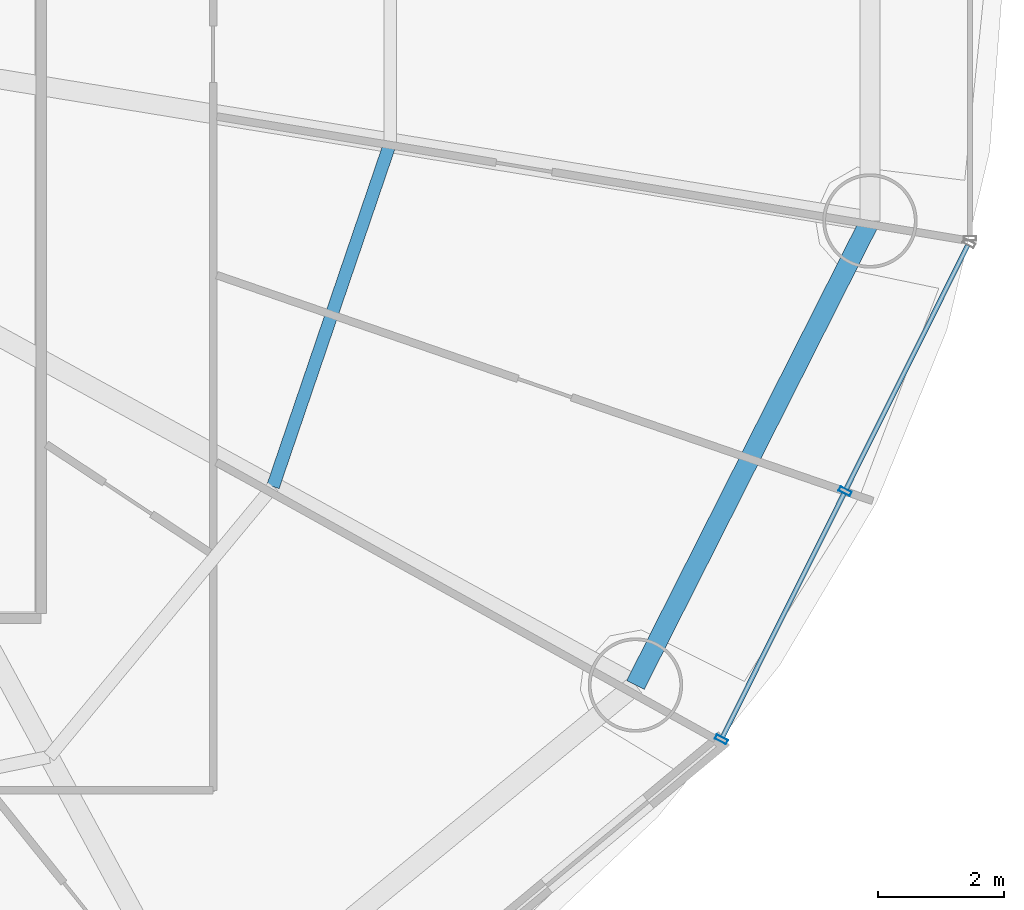
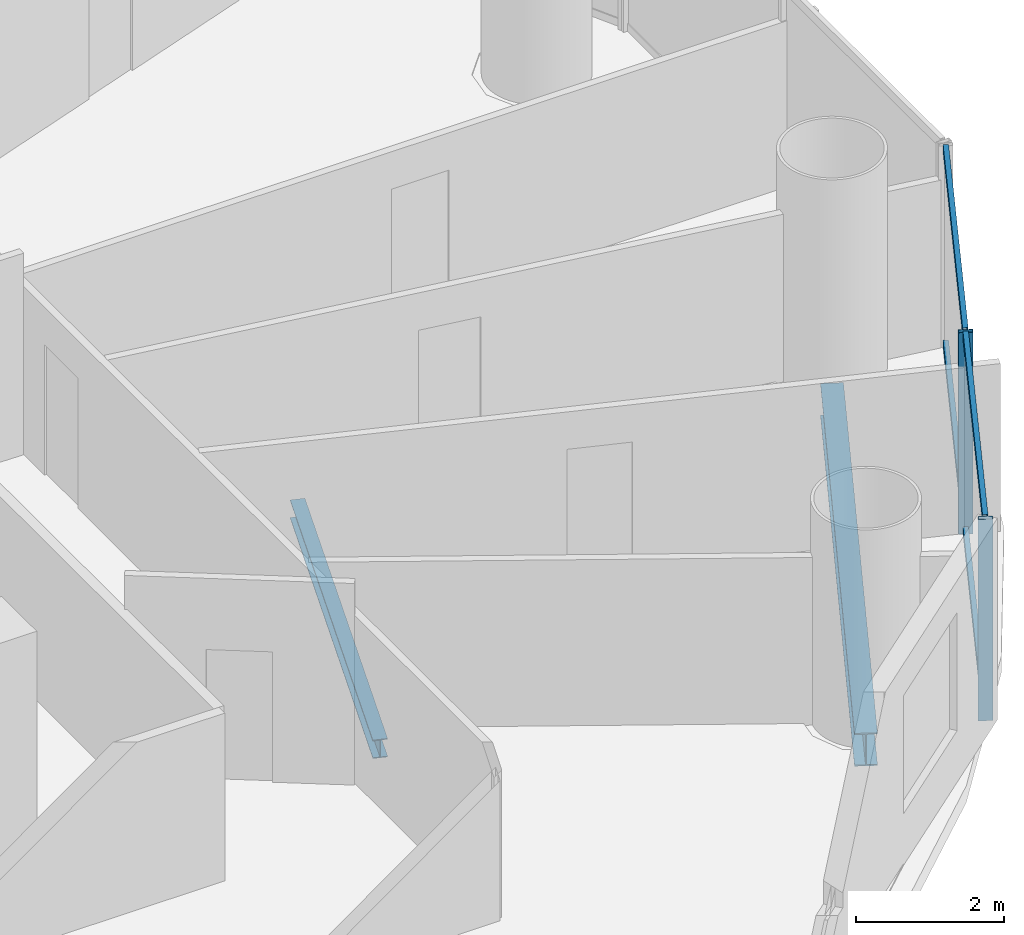
# One storey, part 13 of 29: 6 members, 2 beams, 1 element without a shape of its own.
"""IFC4 building model written with IfcOpenShell, lengths in metres."""

from ifc_helpers import new_model, si_unit, direction, frame, origin, origin_2d, place, context, subcontext, project, spatial, hollow_rectangle, i_section, extrude, source, transform, mapped, material, material_profile, profile_set, type_object, element, aggregate, save


model = new_model("IFC4")

# Units and contexts
model_context = context("Model", 3, precision=1e-05, world=origin(), true_north=direction((-0.2419218956, 0.970295726276)))
body_context = subcontext(model_context, "Body", "Model", "MODEL_VIEW")
ifc_project = project(units=[si_unit("LENGTHUNIT", "METRE"), si_unit("AREAUNIT", "SQUARE_METRE"), si_unit("VOLUMEUNIT", "CUBIC_METRE"), si_unit("PLANEANGLEUNIT", "RADIAN"), si_unit("MASSUNIT", "GRAM", prefix="KILO")], contexts=[model_context])

# Site, building, storey
site_placement = place(None, origin())
site = spatial("IfcSite", under=ifc_project, at=site_placement, CompositionType="ELEMENT")
building_placement = place(site_placement, origin())
building = spatial("IfcBuilding", under=site, at=building_placement, Name="Cobrevalo Terracotta Tower", CompositionType="ELEMENT")
storey_placement = place(building_placement, frame((0.0, 0.0, 115.800048828125)))
storey = spatial("IfcBuildingStorey", under=building, at=storey_placement, Name="L30", CompositionType="ELEMENT", Elevation=115.800048828125)

# Beams
ifc_material_1 = material(Name="Steel S355", Category="steel")
ifc_material_profile_1 = material_profile(ifc_material_1, i_section(OverallWidth=0.2041015625, OverallDepth=0.305908203125, WebThickness=0.008544921875, FlangeThickness=0.0146484375, at=origin_2d()), Name="W 310x67")
ifc_profile_set_1 = profile_set([ifc_material_profile_1], Name="Steel S355")
beam_type_1 = type_object("IfcBeamType", Name="Structural Joist W 310x67 (Steel S355)", PredefinedType="JOIST", material=ifc_profile_set_1)
beam_1_placement = place(storey_placement, frame((52.987548828125, 18.591796875, -0.427978515625), z_axis=(0.322846227919, 0.946451431991, 0.0), x_axis=(-0.946451431991, 0.322846227919, 0.0)))
element("IfcBeam", 1, at=beam_1_placement, inside=storey, type_object=beam_type_1, Name="L30 circumferential secondary floor joist 15", PredefinedType="JOIST", context=body_context, shape_type="SweptSolid", body=[
    extrude(i_section(OverallWidth=0.2041015625, OverallDepth=0.305908203125, WebThickness=0.008544921875, FlangeThickness=0.0146484375, at=origin_2d()), origin(), (0.0, 0.0, 1.0), 5.77001953125),
])
ifc_material_profile_2 = material_profile(ifc_material_1, i_section(OverallWidth=0.31201171875, OverallDepth=0.54296875, WebThickness=0.0126953125, FlangeThickness=0.020263671875, at=origin_2d()), Name="W 530x150")
ifc_profile_set_2 = profile_set([ifc_material_profile_2], Name="Steel S355")
beam_type_2 = type_object("IfcBeamType", Name="Structural Spandrel W 530x150 (Steel S355)", PredefinedType="SPANDREL", material=ifc_profile_set_2)
beam_2_placement = place(storey_placement, frame((58.7451171875, 15.4384765625, -0.546630859375), z_axis=(0.451051982172, 0.892497680321, 0.0), x_axis=(-0.892497680321, 0.451051982172, 0.0)))
element("IfcBeam", 2, at=beam_2_placement, inside=storey, type_object=beam_type_2, Name="L30 perimeter ring spandrel 15", PredefinedType="SPANDREL", context=body_context, shape_type="SweptSolid", body=[
    extrude(i_section(OverallWidth=0.31201171875, OverallDepth=0.54296875, WebThickness=0.0126953125, FlangeThickness=0.020263671875, at=origin_2d()), origin(), (0.0, 0.0, 1.0), 8.259765625),
])

# Curtain wall, members
ifc_material_2 = material(Name="Anodized aluminium", Category="aluminium")
curtain_wall_type = type_object("IfcCurtainWallType", Name="Lower-tower unitised acoustic low-E curtain wall CW-U1", PredefinedType="NOTDEFINED", material=ifc_material_2)
curtain_wall_placement = place(storey_placement, origin())
curtain_wall = element("IfcCurtainWall", 3, at=curtain_wall_placement, inside=storey, type_object=curtain_wall_type, Name="L30 curtain wall CW-L30-S15", PredefinedType="NOTDEFINED")
ifc_material_profile_3 = material_profile(ifc_material_2, hollow_rectangle(XDim=0.074951171875, YDim=0.199951171875, WallThickness=0.0048828125, at=origin_2d()), Name="CWM 75x200")
ifc_profile_set_3 = profile_set([ifc_material_profile_3], Name="Anodized aluminium")
member_type_1 = type_object("IfcMemberType", Name="Lower/mid tower unitised mullion 75x200", PredefinedType="MULLION", material=ifc_profile_set_3)
shared_shape_1 = source(origin(), body_context, "Body", "SweptSolid", [
    extrude(hollow_rectangle(XDim=0.074951171875, YDim=0.199951171875, WallThickness=0.0048828125, at=origin_2d()), origin(), (0.0, 0.0, 1.0), 3.324951171875),
])
member_1_placement = place(storey_placement, frame((60.110107421875, 14.574462890625, 0.0), z_axis=(0.0, 0.0, 1.0), x_axis=(0.446260290227, 0.894903208937, 0.0)))
member_1 = element("IfcMember", 4, at=member_1_placement, type_object=member_type_1, Name="CW-L30-S15 vertical mullion 01", PredefinedType="MULLION", context=body_context, shape_type="MappedRepresentation", body=[
    mapped(shared_shape_1, transform((0.0, 0.0, 0.0), scale=1.0)),
])
member_2_placement = place(storey_placement, frame((62.075927734375, 18.516357421875, 0.0), z_axis=(0.0, 0.0, 1.0), x_axis=(0.446260290227, 0.894903208937, 0.0)))
member_2 = element("IfcMember", 5, at=member_2_placement, type_object=member_type_1, Name="CW-L30-S15 vertical mullion 02", PredefinedType="MULLION", context=body_context, shape_type="MappedRepresentation", body=[
    mapped(shared_shape_1, transform((0.0, 0.0, 0.0), scale=1.0)),
])
ifc_material_profile_4 = material_profile(ifc_material_2, hollow_rectangle(XDim=0.074951171875, YDim=0.14990234375, WallThickness=0.00439453125, at=origin_2d()), Name="CWT 75x150")
ifc_profile_set_4 = profile_set([ifc_material_profile_4], Name="Anodized aluminium")
member_type_2 = type_object("IfcMemberType", Name="Tower unitised aluminium transom 75x150", PredefinedType="USERDEFINED", material=ifc_profile_set_4)
shared_shape_2 = source(origin(), body_context, "Body", "SweptSolid", [
    extrude(hollow_rectangle(XDim=0.074951171875, YDim=0.14990234375, WallThickness=0.00439453125, at=origin_2d()), origin(), (0.0, 0.0, 1.0), 4.324951171875),
])
member_3_placement = place(storey_placement, frame((60.1279296875, 14.610107421875, 0.050048828125), z_axis=(0.446219838389, 0.894923379864, 0.0), x_axis=(-0.894923379864, 0.446219838389, 0.0)))
member_3 = element("IfcMember", 6, at=member_3_placement, type_object=member_type_2, Name="CW-L30-S15 transom B01-T1", ObjectType="TRANSOM", PredefinedType="USERDEFINED", context=body_context, shape_type="MappedRepresentation", body=[
    mapped(shared_shape_2, transform((0.0, 0.0, 0.0), scale=1.0)),
])
member_4_placement = place(storey_placement, frame((60.1279296875, 14.610107421875, 3.27490234375), z_axis=(0.446219838389, 0.894923379864, 0.0), x_axis=(-0.894923379864, 0.446219838389, 0.0)))
member_4 = element("IfcMember", 7, at=member_4_placement, type_object=member_type_2, Name="CW-L30-S15 transom B01-T2", ObjectType="TRANSOM", PredefinedType="USERDEFINED", context=body_context, shape_type="MappedRepresentation", body=[
    mapped(shared_shape_2, transform((0.0, 0.0, 0.0), scale=1.0)),
])
member_5_placement = place(storey_placement, frame((62.09375, 18.55224609375, 0.050048828125), z_axis=(0.446219838389, 0.894923379864, 0.0), x_axis=(-0.894923379864, 0.446219838389, 0.0)))
member_5 = element("IfcMember", 8, at=member_5_placement, type_object=member_type_2, Name="CW-L30-S15 transom B02-T1", ObjectType="TRANSOM", PredefinedType="USERDEFINED", context=body_context, shape_type="MappedRepresentation", body=[
    mapped(shared_shape_2, transform((0.0, 0.0, 0.0), scale=1.0)),
])
member_6_placement = place(storey_placement, frame((62.09375, 18.55224609375, 3.27490234375), z_axis=(0.446219838389, 0.894923379864, 0.0), x_axis=(-0.894923379864, 0.446219838389, 0.0)))
member_6 = element("IfcMember", 9, at=member_6_placement, type_object=member_type_2, Name="CW-L30-S15 transom B02-T2", ObjectType="TRANSOM", PredefinedType="USERDEFINED", context=body_context, shape_type="MappedRepresentation", body=[
    mapped(shared_shape_2, transform((0.0, 0.0, 0.0), scale=1.0)),
])
aggregate(curtain_wall, [member_1, member_2, member_3, member_4, member_5, member_6])

save(model, "model.ifc")
